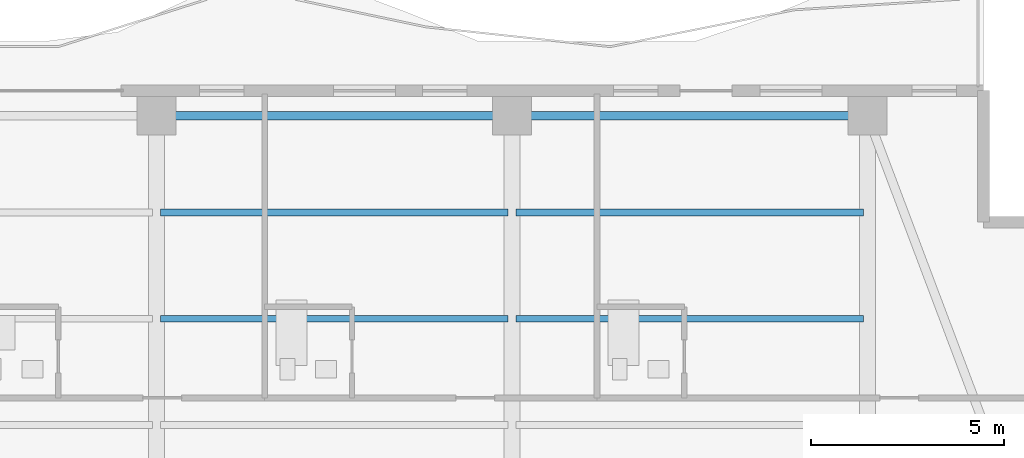
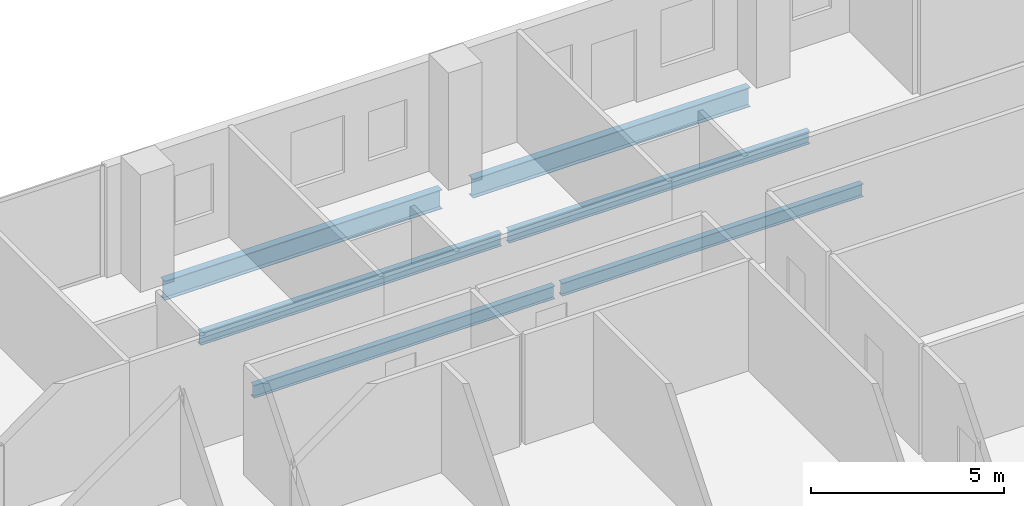
# One storey, part 14 of 24: 6 beams.
"""IFC4 building model written with IfcOpenShell, lengths in metres."""

from ifc_helpers import new_model, si_unit, direction, frame, origin, origin_2d, place, context, subcontext, project, spatial, i_section, extrude, material, material_profile, profile_set, type_object, element, save


model = new_model("IFC4")

# Units and contexts
model_context = context("Model", 3, precision=1e-05, world=origin(), true_north=direction((0.0, 1.0)))
body_context = subcontext(model_context, "Body", "Model", "MODEL_VIEW")
ifc_project = project(units=[si_unit("LENGTHUNIT", "METRE"), si_unit("AREAUNIT", "SQUARE_METRE"), si_unit("VOLUMEUNIT", "CUBIC_METRE"), si_unit("PLANEANGLEUNIT", "RADIAN"), si_unit("MASSUNIT", "GRAM", prefix="KILO")], contexts=[model_context])

# Site, building, storey
site_placement = place(None, origin())
site = spatial("IfcSite", under=ifc_project, at=site_placement, CompositionType="ELEMENT")
building_placement = place(site_placement, origin())
building = spatial("IfcBuilding", under=site, at=building_placement, Name="Zuhayl Quay Hotel", CompositionType="ELEMENT")
storey_placement = place(building_placement, frame((0.0, 0.0, 280.35009765625)))
storey = spatial("IfcBuildingStorey", under=building, at=storey_placement, Name="L71", CompositionType="ELEMENT", Elevation=280.35009765625)

# Beams
ifc_material = material(Name="Steel ASTM A992 Grade 50", Category="steel")
ifc_material_profile_1 = material_profile(ifc_material, i_section(OverallWidth=0.22802734375, OverallDepth=0.60693359375, WebThickness=0.01123046875, FlangeThickness=0.017333984375, at=origin_2d()), Name="W24X76")
ifc_profile_set_1 = profile_set([ifc_material_profile_1], Name="Steel ASTM A992 Grade 50")
beam_type_1 = type_object("IfcBeamType", Name="BM_B3_W24X76", PredefinedType="BEAM", material=ifc_profile_set_1)
beam_1_placement = place(storey_placement, frame((13.340087890625, 38.35009765625, -0.523681640625), z_axis=(-1.0, 0.0, 0.0), x_axis=(0.0, -1.0, 0.0)))
element("IfcBeam", 1, at=beam_1_placement, inside=storey, type_object=beam_type_1, Name="L71 Floor Beam RG_L71_07", PredefinedType="BEAM", context=body_context, shape_type="SweptSolid", body=[
    extrude(i_section(OverallWidth=0.22802734375, OverallDepth=0.60693359375, WebThickness=0.01123046875, FlangeThickness=0.017333984375, at=origin_2d()), origin(), (0.0, 0.0, 1.0), 8.280029296875),
])
beam_2_placement = place(storey_placement, frame((4.139892578125, 38.35009765625, -0.523681640625), z_axis=(-1.0, 0.0, 0.0), x_axis=(0.0, -1.0, 0.0)))
element("IfcBeam", 2, at=beam_2_placement, inside=storey, type_object=beam_type_1, Name="L71 Floor Beam RG_L71_08", PredefinedType="BEAM", context=body_context, shape_type="SweptSolid", body=[
    extrude(i_section(OverallWidth=0.22802734375, OverallDepth=0.60693359375, WebThickness=0.01123046875, FlangeThickness=0.017333984375, at=origin_2d()), origin(), (0.0, 0.0, 1.0), 8.27978515625),
])
ifc_material_profile_2 = material_profile(ifc_material, i_section(OverallWidth=0.177978515625, OverallDepth=0.404052734375, WebThickness=0.007568359375, FlangeThickness=0.010986328125, at=origin_2d()), Name="W16X36")
ifc_profile_set_2 = profile_set([ifc_material_profile_2], Name="Steel ASTM A992 Grade 50")
beam_type_2 = type_object("IfcBeamType", Name="BM_J3_W16X36", PredefinedType="JOIST", material=ifc_profile_set_2)
beam_3_placement = place(storey_placement, frame((-4.493896484375, 33.10009765625, -0.422119140625), z_axis=(1.0, 0.0, 0.0), x_axis=(0.0, 1.0, 0.0)))
element("IfcBeam", 3, at=beam_3_placement, inside=storey, type_object=beam_type_2, Name="L71 Floor Beam FJ_L71_7_2", PredefinedType="JOIST", context=body_context, shape_type="SweptSolid", body=[
    extrude(i_section(OverallWidth=0.177978515625, OverallDepth=0.404052734375, WebThickness=0.007568359375, FlangeThickness=0.010986328125, at=origin_2d()), origin(), (0.0, 0.0, 1.0), 8.98779296875),
])
beam_4_placement = place(storey_placement, frame((4.7060546875, 33.10009765625, -0.422119140625), z_axis=(1.0, 0.0, 0.0), x_axis=(0.0, 1.0, 0.0)))
element("IfcBeam", 4, at=beam_4_placement, inside=storey, type_object=beam_type_2, Name="L71 Floor Beam FJ_L71_7_3", PredefinedType="JOIST", context=body_context, shape_type="SweptSolid", body=[
    extrude(i_section(OverallWidth=0.177978515625, OverallDepth=0.404052734375, WebThickness=0.007568359375, FlangeThickness=0.010986328125, at=origin_2d()), origin(), (0.0, 0.0, 1.0), 8.988037109375),
])
beam_5_placement = place(storey_placement, frame((-4.493896484375, 35.85009765625, -0.422119140625), z_axis=(1.0, 0.0, 0.0), x_axis=(0.0, 1.0, 0.0)))
element("IfcBeam", 5, at=beam_5_placement, inside=storey, type_object=beam_type_2, Name="L71 Floor Beam FJ_L71_8_2", PredefinedType="JOIST", context=body_context, shape_type="SweptSolid", body=[
    extrude(i_section(OverallWidth=0.177978515625, OverallDepth=0.404052734375, WebThickness=0.007568359375, FlangeThickness=0.010986328125, at=origin_2d()), origin(), (0.0, 0.0, 1.0), 8.98779296875),
])
beam_6_placement = place(storey_placement, frame((4.7060546875, 35.85009765625, -0.422119140625), z_axis=(1.0, 0.0, 0.0), x_axis=(0.0, 1.0, 0.0)))
element("IfcBeam", 6, at=beam_6_placement, inside=storey, type_object=beam_type_2, Name="L71 Floor Beam FJ_L71_8_3", PredefinedType="JOIST", context=body_context, shape_type="SweptSolid", body=[
    extrude(i_section(OverallWidth=0.177978515625, OverallDepth=0.404052734375, WebThickness=0.007568359375, FlangeThickness=0.010986328125, at=origin_2d()), origin(), (0.0, 0.0, 1.0), 8.988037109375),
])

save(model, "model.ifc")
